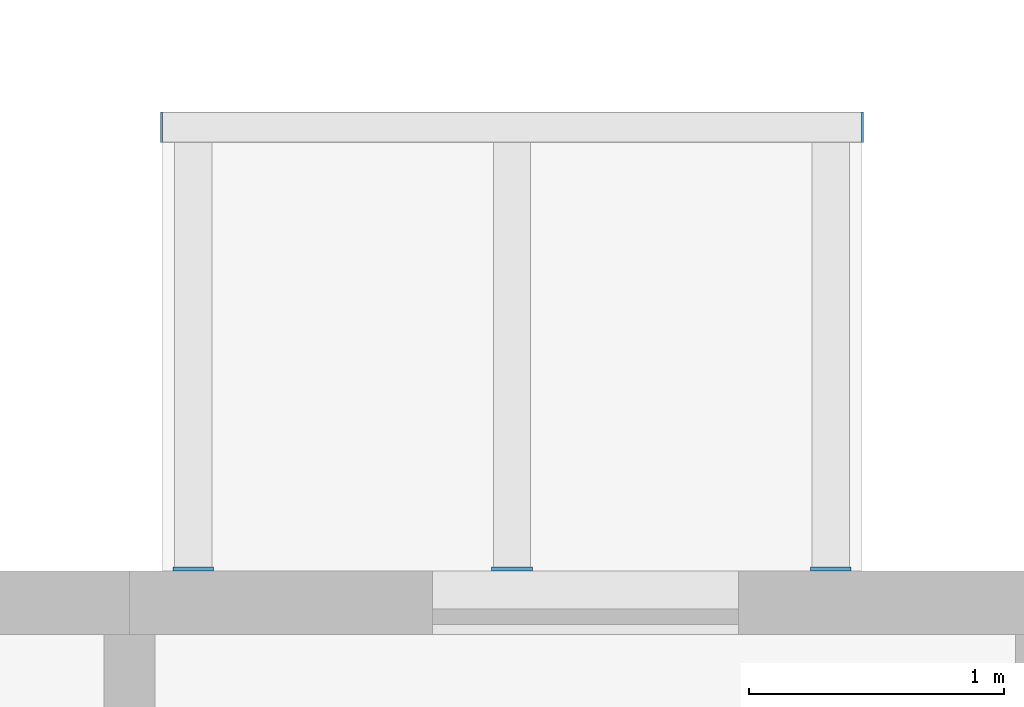
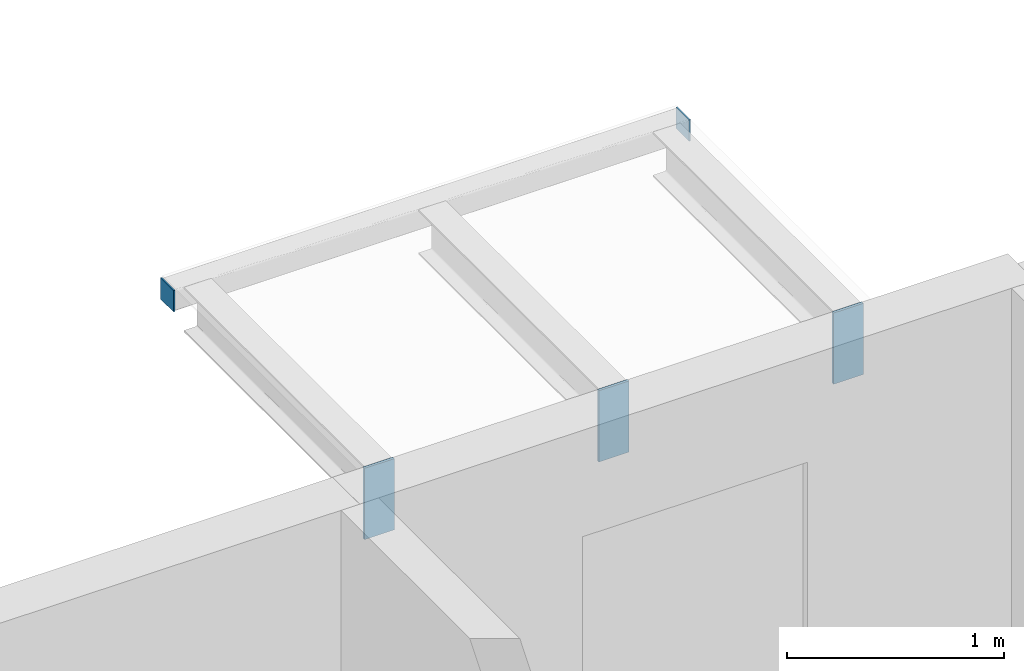
# One storey, part 58 of 78: 5 discrete accessories.
"""IFC4 building model written with IfcOpenShell, lengths in metres."""

from ifc_helpers import new_model, si_unit, direction, frame, origin, origin_2d, place, context, subcontext, project, spatial, rectangle, extrude, material, layer, layer_set, type_object, element, save


model = new_model("IFC4")

# Units and contexts
model_context = context("Model", 3, precision=1e-05, world=origin(), true_north=direction((0.0, 1.0)))
body_context = subcontext(model_context, "Body", "Model", "MODEL_VIEW")
ifc_project = project(units=[si_unit("LENGTHUNIT", "METRE"), si_unit("AREAUNIT", "SQUARE_METRE"), si_unit("VOLUMEUNIT", "CUBIC_METRE"), si_unit("PLANEANGLEUNIT", "RADIAN"), si_unit("MASSUNIT", "GRAM", prefix="KILO")], contexts=[model_context])

# Site, building, storey
site_placement = place(None, origin())
site = spatial("IfcSite", under=ifc_project, at=site_placement, CompositionType="ELEMENT")
building_placement = place(site_placement, origin())
building = spatial("IfcBuilding", under=site, at=building_placement, Name="Ridgestep Commons", CompositionType="ELEMENT")
storey_placement = place(building_placement, frame((0.0, 0.0, 30.0)))
storey = spatial("IfcBuildingStorey", under=building, at=storey_placement, Name="L10", CompositionType="ELEMENT", Elevation=30.0)

# Discrete accessories
ifc_material_1 = material(Name="Weathering steel S355J2W", Category="steel")
ifc_layer_1 = layer(ifc_material_1, 0.014892578125)
ifc_layer_set_1 = layer_set([ifc_layer_1], Name="Tray bracket plate 15")
discrete_accessory_type_1 = type_object("IfcDiscreteAccessoryType", Name="Tray bracket plate 15", PredefinedType="BRACKET", material=ifc_layer_set_1)
for number, where, z_axis, x_axis, name in (
    (1, (86.64990234375, 23.007568359375, 2.588623046875), (0.0, 0.0, 1.0), (1.0, 0.0, 0.0), "Tray bracket A5T3-11.1"),
    (2, (87.89990234375, 23.007568359375, 2.588623046875), (0.0, 0.0, 1.0), (1.0, 0.0, 0.0), "Tray bracket A5T3-11.2"),
    (3, (89.14990234375, 23.007568359375, 2.588623046875), (0.0, 0.0, 1.0), (1.0, 0.0, 0.0), "Tray bracket A5T3-11.3"),
):
    element("IfcDiscreteAccessory", number, at=place(storey_placement, frame(where, z_axis=z_axis, x_axis=x_axis)), inside=storey, type_object=discrete_accessory_type_1, Name=name, PredefinedType="BRACKET", context=body_context, shape_type="SweptSolid", body=[
        extrude(rectangle(XDim=0.159912109375, YDim=0.014892578125, at=origin_2d()), origin(), (0.0, 0.0, 1.0), 0.4013671875),
    ])
ifc_material_2 = material(Name="Weathering steel S355J2W", Category="steel")
ifc_layer_2 = layer(ifc_material_2, 0.008056640625)
ifc_layer_set_2 = layer_set([ifc_layer_2], Name="Tray edge member end plate 120 x 120 x 8")
discrete_accessory_type_2 = type_object("IfcDiscreteAccessoryType", Name="Tray edge member end plate 120 x 120 x 8", PredefinedType="BRACKET", material=ifc_layer_set_2)
for number, where, z_axis, x_axis, name in (
    (4, (86.52587890625, 24.739990234375, 2.869873046875), (0.0, 0.0, 1.0), (1.0, 0.0, 0.0), "Tray edge member end plate A5T3-11 west"),
    (5, (89.27392578125, 24.739990234375, 2.869873046875), (0.0, 0.0, 1.0), (1.0, 0.0, 0.0), "Tray edge member end plate A5T3-11 east"),
):
    element("IfcDiscreteAccessory", number, at=place(storey_placement, frame(where, z_axis=z_axis, x_axis=x_axis)), inside=storey, type_object=discrete_accessory_type_2, Name=name, PredefinedType="BRACKET", context=body_context, shape_type="SweptSolid", body=[
        extrude(rectangle(XDim=0.008056640625, YDim=0.1201171875, at=origin_2d()), origin(), (0.0, 0.0, 1.0), 0.1201171875),
    ])

save(model, "model.ifc")
